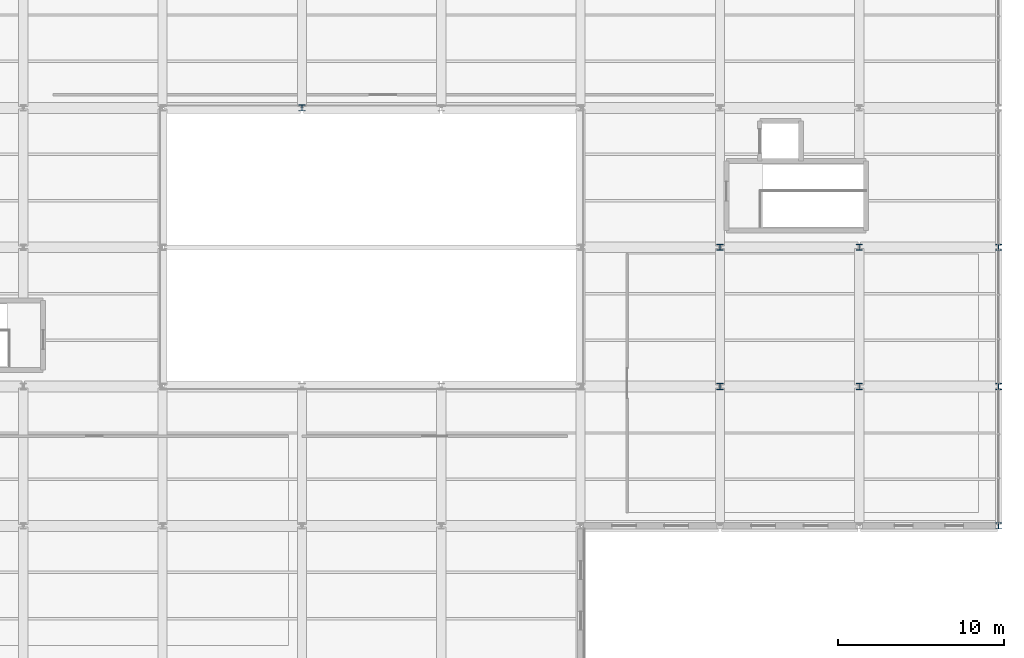
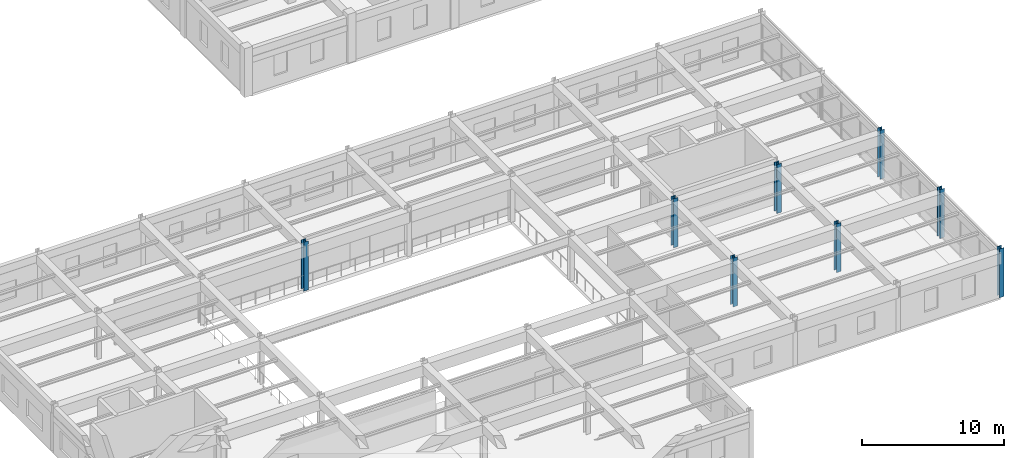
# One storey, part 7 of 138: 8 columns.
"""IFC4 building model written with IfcOpenShell, lengths in metres."""

from ifc_helpers import new_model, si_unit, direction, frame, origin, origin_2d, place, context, subcontext, project, spatial, i_section, extrude, material, material_profile, profile_set, type_object, element, save


model = new_model("IFC4")

# Units and contexts
model_context = context("Model", 3, precision=1e-05, world=origin(), true_north=direction((0.0, 1.0)))
body_context = subcontext(model_context, "Body", "Model", "MODEL_VIEW")
ifc_project = project(units=[si_unit("LENGTHUNIT", "METRE"), si_unit("AREAUNIT", "SQUARE_METRE"), si_unit("VOLUMEUNIT", "CUBIC_METRE"), si_unit("PLANEANGLEUNIT", "RADIAN"), si_unit("MASSUNIT", "GRAM", prefix="KILO"), si_unit("THERMODYNAMICTEMPERATUREUNIT", "KELVIN"), si_unit("POWERUNIT", "WATT")], contexts=[model_context])

# Site, building, storey
site_placement = place(None, origin())
site = spatial("IfcSite", under=ifc_project, at=site_placement, CompositionType="ELEMENT")
building_placement = place(site_placement, origin())
building = spatial("IfcBuilding", under=site, at=building_placement, Name="Darbajah Civic Hall", CompositionType="ELEMENT")
storey_placement = place(building_placement, frame((0.0, 0.0, 9.60009765625)))
storey = spatial("IfcBuildingStorey", under=building, at=storey_placement, Name="L02", CompositionType="ELEMENT", Elevation=9.60009765625)

# Columns
ifc_material = material(Name="Steel S355JR", Category="steel")
ifc_material_profile = material_profile(ifc_material, i_section(OverallWidth=0.37255859375, OverallDepth=0.3681640625, WebThickness=0.014404296875, FlangeThickness=0.023681640625, FilletRadius=0.01513671875, at=origin_2d()), Name="UC 356x368x177")
ifc_profile_set = profile_set([ifc_material_profile], Name="Steel S355JR")
column_type = type_object("IfcColumnType", Name="UC 356x368x177", PredefinedType="COLUMN", material=ifc_profile_set)
for number, where, z_axis, x_axis, name in (
    (1, (136.199951171875, 33.60009765625, 0.0), (0.0, 0.0, 1.0), (1.0, 0.0, 0.0), "L02 column C-UC356"),
    (2, (161.39990234375, 16.800048828125, 0.0), (0.0, 0.0, 1.0), (1.0, 0.0, 0.0), "L02 column C-UC356"),
    (3, (161.39990234375, 25.199951171875, 0.0), (0.0, 0.0, 1.0), (1.0, 0.0, 0.0), "L02 column C-UC356"),
    (4, (169.800048828125, 16.800048828125, 0.0), (0.0, 0.0, 1.0), (1.0, 0.0, 0.0), "L02 column C-UC356"),
    (5, (169.800048828125, 25.199951171875, 0.0), (0.0, 0.0, 1.0), (1.0, 0.0, 0.0), "L02 column C-UC356"),
    (6, (178.199951171875, 8.39990234375, 0.0), (0.0, 0.0, 1.0), (1.0, 0.0, 0.0), "L02 column C-UC356"),
    (7, (178.199951171875, 16.800048828125, 0.0), (0.0, 0.0, 1.0), (1.0, 0.0, 0.0), "L02 column C-UC356"),
    (8, (178.199951171875, 25.199951171875, 0.0), (0.0, 0.0, 1.0), (1.0, 0.0, 0.0), "L02 column C-UC356"),
):
    element("IfcColumn", number, at=place(storey_placement, frame(where, z_axis=z_axis, x_axis=x_axis)), inside=storey, type_object=column_type, Name=name, PredefinedType="COLUMN", context=body_context, shape_type="SweptSolid", body=[
        extrude(i_section(OverallWidth=0.37255859375, OverallDepth=0.3681640625, WebThickness=0.014404296875, FlangeThickness=0.023681640625, FilletRadius=0.01513671875, at=origin_2d()), origin(), (0.0, 0.0, 1.0), 4.199951171875),
    ])

save(model, "model.ifc")
